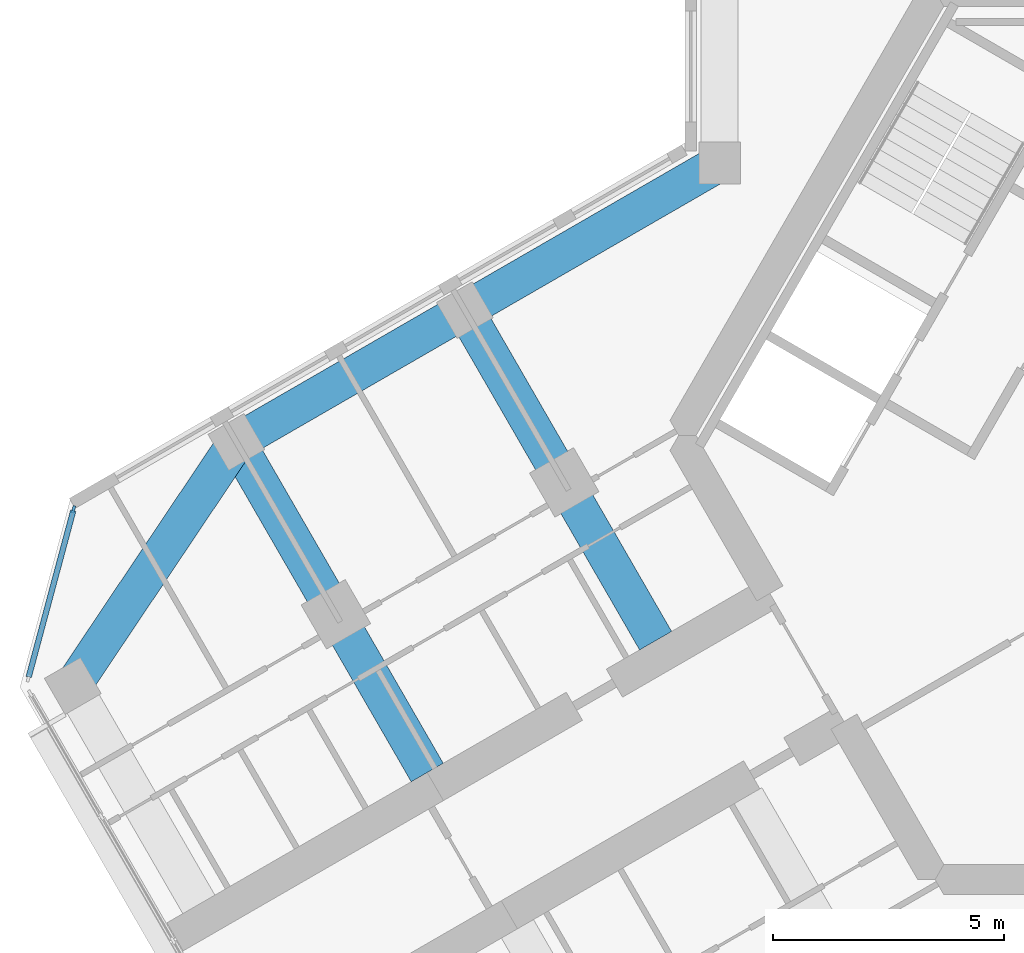
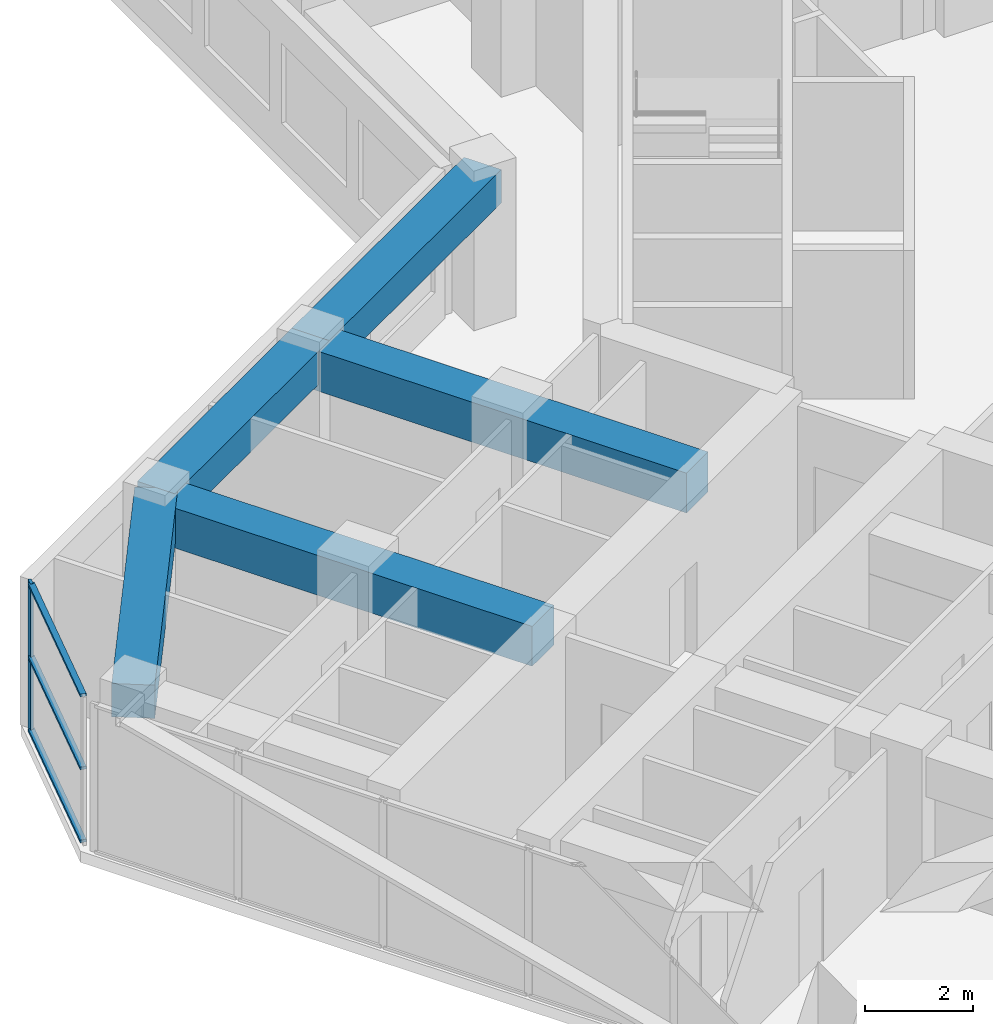
# One storey, part 3 of 16: 5 beams, 4 members, 1 element without a shape of its own.
"""IFC4 building model written with IfcOpenShell, lengths in metres."""

from ifc_helpers import new_model, si_unit, direction, frame, origin, origin_2d, place, context, subcontext, project, spatial, rectangle, extrude, material, material_profile, profile_set, type_object, element, aggregate, save


model = new_model("IFC4")

# Units and contexts
model_context = context("Model", 3, precision=1e-05, world=origin(), true_north=direction((0.0, 1.0)))
body_context = subcontext(model_context, "Body", "Model", "MODEL_VIEW")
ifc_project = project(units=[si_unit("LENGTHUNIT", "METRE"), si_unit("AREAUNIT", "SQUARE_METRE"), si_unit("VOLUMEUNIT", "CUBIC_METRE"), si_unit("PLANEANGLEUNIT", "RADIAN"), si_unit("MASSUNIT", "GRAM", prefix="KILO")], contexts=[model_context])

# Site, building, storey
site_placement = place(None, origin())
site = spatial("IfcSite", under=ifc_project, at=site_placement, CompositionType="ELEMENT")
building_placement = place(site_placement, origin())
building = spatial("IfcBuilding", under=site, at=building_placement, Name="Kosmar Iwan School Tower", CompositionType="ELEMENT")
storey_placement = place(building_placement, frame((0.0, 0.0, 204.60009765625)))
storey = spatial("IfcBuildingStorey", under=building, at=storey_placement, Name="L51", CompositionType="ELEMENT", Elevation=204.60009765625)

# Curtain wall, member
ifc_material_1 = material(Name="Dark glass in black aluminium frame", Category="aluminium")
curtain_wall_type = type_object("IfcCurtainWallType", Name="Chamfer curtain wall dark glass", PredefinedType="USERDEFINED", material=ifc_material_1)
curtain_wall_placement = place(storey_placement, origin())
curtain_wall = element("IfcCurtainWall", 1, at=curtain_wall_placement, inside=storey, type_object=curtain_wall_type, Name="Curtain wall L51-F10", ObjectType="FACETED CURTAIN WALL", PredefinedType="USERDEFINED")
ifc_material_2 = material(Name="Black anodised aluminium", Category="aluminium")
ifc_material_profile_1 = material_profile(ifc_material_2, rectangle(XDim=0.06005859375, YDim=0.159912109375, at=origin_2d()), Name="MULLION 60x160")
ifc_profile_set_1 = profile_set([ifc_material_profile_1], Name="Black anodised aluminium")
member_type_1 = type_object("IfcMemberType", Name="Mullion 60x160", PredefinedType="MULLION", material=ifc_profile_set_1)
member_1_placement = place(storey_placement, frame((-24.163818359375, -1.59814453125, 0.0), z_axis=(0.0, 0.0, 1.0), x_axis=(0.965925875495, -0.258818861462, 0.0)))
member_1 = element("IfcMember", 2, at=member_1_placement, type_object=member_type_1, Name="CW2 mullion 1", PredefinedType="MULLION", context=body_context, shape_type="SweptSolid", body=[
    extrude(rectangle(XDim=0.06005859375, YDim=0.159912109375, at=origin_2d()), origin(), (0.0, 0.0, 1.0), 3.349853515625),
])

# Beams
ifc_material_3 = material(Name="Concrete C50/60", Category="concrete")
ifc_material_profile_2 = material_profile(ifc_material_3, rectangle(XDim=0.800048828125, YDim=0.75, at=origin_2d()), Name="RC 800x750")
ifc_profile_set_2 = profile_set([ifc_material_profile_2], Name="Concrete C50/60")
beam_type_1 = type_object("IfcBeamType", Name="RC edge beam 800x750", PredefinedType="BEAM", material=ifc_profile_set_2)
beam_1_placement = place(storey_placement, frame((-10.199951171875, 5.888916015625, 2.974853515625), z_axis=(-0.866030912664, -0.49999045822, 0.0), x_axis=(0.49999045822, -0.866030912664, 0.0)))
element("IfcBeam", 3, at=beam_1_placement, inside=storey, type_object=beam_type_1, Name="Edge beam BR1", PredefinedType="BEAM", context=body_context, shape_type="SweptSolid", body=[
    extrude(rectangle(XDim=0.800048828125, YDim=0.75, at=origin_2d()), origin(), (0.0, 0.0, 1.0), 6.36083984375),
])
beam_2_placement = place(storey_placement, frame((-15.708740234375, 2.70849609375, 2.974853515625), z_axis=(-0.866025820012, -0.499999279071, 0.0), x_axis=(0.499999279071, -0.866025820012, 0.0)))
element("IfcBeam", 4, at=beam_2_placement, inside=storey, type_object=beam_type_1, Name="Edge beam BR2", PredefinedType="BEAM", context=body_context, shape_type="SweptSolid", body=[
    extrude(rectangle(XDim=0.800048828125, YDim=0.75, at=origin_2d()), origin(), (0.0, 0.0, 1.0), 5.7001953125),
])
ifc_material_4 = material(Name="Concrete C50/60", Category="concrete")
ifc_material_profile_3 = material_profile(ifc_material_4, rectangle(XDim=0.800048828125, YDim=0.75, at=origin_2d()), Name="RC 800x750")
ifc_profile_set_3 = profile_set([ifc_material_profile_3], Name="Concrete C50/60")
beam_type_2 = type_object("IfcBeamType", Name="RC tip beam 800x750", PredefinedType="BEAM", material=ifc_profile_set_3)
beam_3_placement = place(storey_placement, frame((-20.645263671875, -0.1416015625, 2.974853515625), z_axis=(-0.556827604145, -0.83062808721, 0.0), x_axis=(0.83062808721, -0.556827604145, 0.0)))
element("IfcBeam", 5, at=beam_3_placement, inside=storey, type_object=beam_type_2, Name="Tip beam BR", PredefinedType="BEAM", context=body_context, shape_type="SweptSolid", body=[
    extrude(rectangle(XDim=0.800048828125, YDim=0.75, at=origin_2d()), origin(), (0.0, 0.0, 1.0), 6.3505859375),
])
ifc_material_5 = material(Name="Concrete C50/60", Category="concrete")
ifc_material_profile_4 = material_profile(ifc_material_5, rectangle(XDim=0.800048828125, YDim=0.89990234375, at=origin_2d()), Name="RC 800x900")
ifc_profile_set_4 = profile_set([ifc_material_profile_4], Name="Concrete C50/60")
beam_type_3 = type_object("IfcBeamType", Name="RC transverse beam 800x900", PredefinedType="BEAM", material=ifc_profile_set_4)
beam_4_placement = place(storey_placement, frame((-15.708740234375, 2.70849609375, 2.89990234375), z_axis=(0.499996545922, -0.866027397988, 0.0), x_axis=(0.866027397988, 0.499996545922, 0.0)))
element("IfcBeam", 6, at=beam_4_placement, inside=storey, type_object=beam_type_3, Name="Transverse beam BR1", PredefinedType="BEAM", context=body_context, shape_type="SweptSolid", body=[
    extrude(rectangle(XDim=0.800048828125, YDim=0.89990234375, at=origin_2d()), origin(), (0.0, 0.0, 1.0), 8.25),
])
beam_5_placement = place(storey_placement, frame((-20.645263671875, -0.1416015625, 2.89990234375), z_axis=(0.500009360108, -0.866019999656, 0.0), x_axis=(0.866019999656, 0.500009360108, 0.0)))
element("IfcBeam", 7, at=beam_5_placement, inside=storey, type_object=beam_type_3, Name="Transverse beam BR2", PredefinedType="BEAM", context=body_context, shape_type="SweptSolid", body=[
    extrude(rectangle(XDim=0.800048828125, YDim=0.89990234375, at=origin_2d()), origin(), (0.0, 0.0, 1.0), 8.249755859375),
])

# Member
ifc_material_6 = material(Name="Black anodised aluminium", Category="aluminium")
ifc_material_profile_5 = material_profile(ifc_material_6, rectangle(XDim=0.1201171875, YDim=0.06005859375, at=origin_2d()), Name="TRANSOM 60x120")
ifc_profile_set_5 = profile_set([ifc_material_profile_5], Name="Black anodised aluminium")
member_type_2 = type_object("IfcMemberType", Name="Transom 60x120", PredefinedType="USERDEFINED", material=ifc_profile_set_5)
member_2_placement = place(storey_placement, frame((-24.17138671875, -1.627197265625, 0.02978515625), z_axis=(-0.258843273983, -0.965919333854, 0.0), x_axis=(0.965919333854, -0.258843273983, 0.0)))
member_2 = element("IfcMember", 8, at=member_2_placement, type_object=member_type_2, Name="CW2 transom 1.1", ObjectType="TRANSOM", PredefinedType="USERDEFINED", context=body_context, shape_type="SweptSolid", body=[
    extrude(rectangle(XDim=0.1201171875, YDim=0.06005859375, at=origin_2d()), origin(), (0.0, 0.0, 1.0), 3.718994140625),
])

member_3_placement = place(storey_placement, frame((-24.17138671875, -1.627197265625, 1.6748046875), z_axis=(-0.258843273983, -0.965919333854, 0.0), x_axis=(0.965919333854, -0.258843273983, 0.0)))
member_3 = element("IfcMember", 9, at=member_3_placement, type_object=member_type_2, Name="CW2 transom 1.2", ObjectType="TRANSOM", PredefinedType="USERDEFINED", context=body_context, shape_type="SweptSolid", body=[
    extrude(rectangle(XDim=0.1201171875, YDim=0.06005859375, at=origin_2d()), origin(), (0.0, 0.0, 1.0), 3.718994140625),
])

member_4_placement = place(storey_placement, frame((-24.17138671875, -1.627197265625, 3.31982421875), z_axis=(-0.258843273983, -0.965919333854, 0.0), x_axis=(0.965919333854, -0.258843273983, 0.0)))
member_4 = element("IfcMember", 10, at=member_4_placement, type_object=member_type_2, Name="CW2 transom 1.3", ObjectType="TRANSOM", PredefinedType="USERDEFINED", context=body_context, shape_type="SweptSolid", body=[
    extrude(rectangle(XDim=0.1201171875, YDim=0.06005859375, at=origin_2d()), origin(), (0.0, 0.0, 1.0), 3.718994140625),
])

aggregate(curtain_wall, [member_1, member_2, member_3, member_4])

save(model, "model.ifc")
